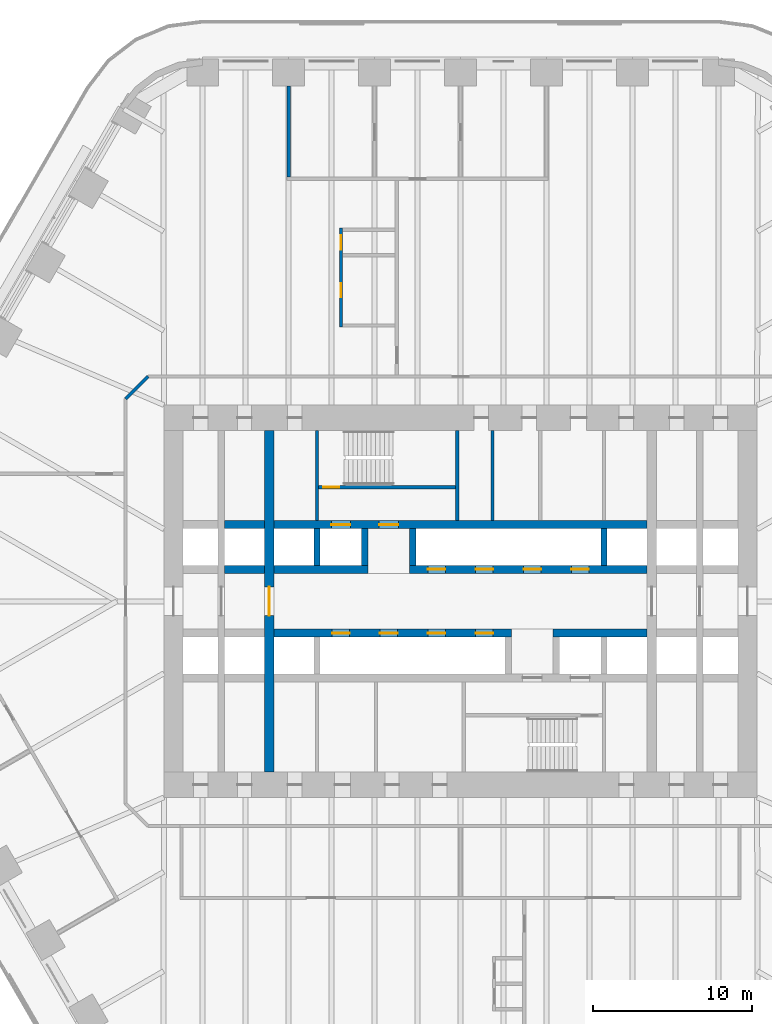
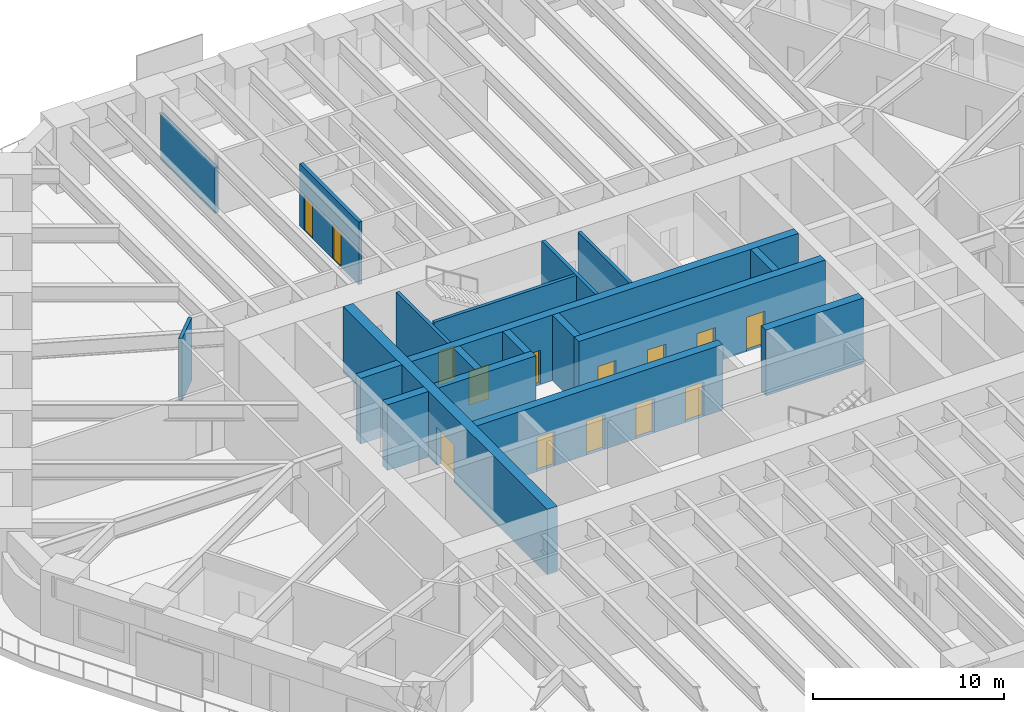
# One storey, part 18 of 24: 19 walls, 14 doors, 14 openings.
"""IFC4 building model written with IfcOpenShell, lengths in metres."""

from ifc_helpers import new_model, si_unit, direction, frame, frame_2d, origin, place, context, subcontext, project, spatial, rectangle, extrude, material, layer, layer_set, type_object, element, fill, save


model = new_model("IFC4")

# Units and contexts
model_context = context("Model", 3, precision=1e-05, world=origin(), true_north=direction((0.0, 1.0)))
body_context = subcontext(model_context, "Body", "Model", "MODEL_VIEW")
ifc_project = project(units=[si_unit("LENGTHUNIT", "METRE"), si_unit("AREAUNIT", "SQUARE_METRE"), si_unit("VOLUMEUNIT", "CUBIC_METRE"), si_unit("PLANEANGLEUNIT", "RADIAN"), si_unit("MASSUNIT", "GRAM", prefix="KILO")], contexts=[model_context])

# Site, building, storey
site_placement = place(None, origin())
site = spatial("IfcSite", under=ifc_project, at=site_placement, CompositionType="ELEMENT")
building_placement = place(site_placement, origin())
building = spatial("IfcBuilding", under=site, at=building_placement, Name="Tarfa Lantern Tower", CompositionType="ELEMENT")
storey_placement = place(building_placement, frame((0.0, 0.0, 69.699951171875)))
storey = spatial("IfcBuildingStorey", under=building, at=storey_placement, Name="L15", CompositionType="ELEMENT", Elevation=69.699951171875)

# Walls
ifc_material_1 = material(Name="Concrete blockwork", Category="masonry")
ifc_layer_1 = layer(ifc_material_1, 0.199951171875)
ifc_layer_set_1 = layer_set([ifc_layer_1], Name="IW1 BLOCKWORK PARTITION 200 EI 120")
wall_type_1 = type_object("IfcWallType", Name="IW1 BLOCKWORK PARTITION 200 EI 120", PredefinedType="PARTITIONING", material=ifc_layer_set_1)
for number, where, z_axis, x_axis, name in (
    (1, (-9.0, 5.050048828125, 0.0), (0.0, 0.0, 1.0), (0.0, 1.0, 0.0), "Core partition"),
    (2, (2.0, 5.050048828125, 0.0), (0.0, 0.0, 1.0), (0.0, 1.0, 0.0), "Core partition"),
):
    element("IfcWall", number, at=place(storey_placement, frame(where, z_axis=z_axis, x_axis=x_axis)), inside=storey, type_object=wall_type_1, Name=name, PredefinedType="PARTITIONING", context=body_context, shape_type="SweptSolid", body=[
        extrude(rectangle(XDim=5.64990234375, YDim=0.199951171875, at=frame_2d((2.824951171875, 0.0))), origin(), (0.0, 0.0, 1.0), 4.0),
    ])
ifc_material_2 = material(Name="Gypsum board on steel studs", Category="steel")
ifc_layer_2 = layer(ifc_material_2, 0.2099609375)
ifc_layer_set_2 = layer_set([ifc_layer_2], Name="IW2 ACOUSTIC PARTITION 200")
wall_type_2 = type_object("IfcWallType", Name="IW2 ACOUSTIC PARTITION 200", PredefinedType="PARTITIONING", material=ifc_layer_set_2)
wall_1_placement = place(storey_placement, frame((-10.777099609375, 26.60009765625, 0.0), z_axis=(0.0, 0.0, 1.0), x_axis=(0.0, 1.0, 0.0)))
element("IfcWall", 3, at=wall_1_placement, inside=storey, type_object=wall_type_2, Name="Partition", PredefinedType="PARTITIONING", context=body_context, shape_type="SweptSolid", body=[
    extrude(rectangle(XDim=5.699951171875, YDim=0.199951171875, at=frame_2d((2.85009765625, 0.0))), origin(), (0.0, 0.0, 1.0), 2.944091796875),
])
wall_2_placement = place(storey_placement, frame((-21.0, 12.699951171875, 0.0), z_axis=(0.0, 0.0, 1.0), x_axis=(0.707045124756, 0.707168432242, 0.0)))
element("IfcWall", 4, at=wall_2_placement, inside=storey, type_object=wall_type_2, Name="Partition", PredefinedType="PARTITIONING", context=body_context, shape_type="SweptSolid", body=[
    extrude(rectangle(XDim=1.97998046875, YDim=0.199951171875, at=frame_2d((0.989990234375, 0.0))), origin(), (0.0, 0.0, 1.0), 4.0),
])

# Wall, openings, doors
wall_3_placement = place(storey_placement, frame((-7.5, 17.199951171875, 0.0), z_axis=(0.0, 0.0, 1.0), x_axis=(0.0, 1.0, 0.0)))
wall_3 = element("IfcWall", 5, at=wall_3_placement, inside=storey, type_object=wall_type_2, Name="Partition", PredefinedType="PARTITIONING", context=body_context, shape_type="SweptSolid", body=[
    extrude(rectangle(XDim=6.199951171875, YDim=0.199951171875, at=frame_2d((3.10009765625, 0.0))), origin(), (0.0, 0.0, 1.0), 4.0),
])
opening_1_placement = place(wall_3_placement, frame((1.85009765625, 0.0, 0.0)))
opening_1 = element("IfcOpeningElement", 6, at=opening_1_placement, cuts=wall_3, Name="Opening D43", PredefinedType="OPENING", context=body_context, shape_type="SweptSolid", body=[
    extrude(rectangle(XDim=0.89990234375, YDim=2.199951171875, at=frame_2d((0.449951171875, 1.10009765625))), frame((0.0, 0.10986328125, 0.0), z_axis=(0.0, -1.0, 0.0), x_axis=(1.0, 0.0, 0.0)), (0.0, 0.0, 1.0), 0.219970703125),
])
opening_2_placement = place(wall_3_placement, frame((4.85009765625, 0.0, 0.0)))
opening_2 = element("IfcOpeningElement", 7, at=opening_2_placement, cuts=wall_3, Name="Opening D44", PredefinedType="OPENING", context=body_context, shape_type="SweptSolid", body=[
    extrude(rectangle(XDim=0.89990234375, YDim=2.199951171875, at=frame_2d((0.449951171875, 1.10009765625))), frame((0.0, 0.10986328125, 0.0), z_axis=(0.0, -1.0, 0.0), x_axis=(1.0, 0.0, 0.0)), (0.0, 0.0, 1.0), 0.219970703125),
])
ifc_material_3 = material(Name="Timber door", Category="wood")
door_type_1 = type_object("IfcDoorType", Name="DR3 ROOM DOOR 900x2200", OperationType="SINGLE_SWING_LEFT", PredefinedType="DOOR", material=ifc_material_3)
door_1_placement = place(opening_1_placement, frame((0.89990234375, 0.0, 0.0), z_axis=(0.0, 0.0, 1.0), x_axis=(-1.0, 0.0, 0.0)))
door_1 = element("IfcDoor", 8, at=door_1_placement, inside=storey, type_object=door_type_1, Name="Meeting room door", OperationType="SINGLE_SWING_LEFT", OverallHeight=2.199951171875, OverallWidth=0.89990234375, PredefinedType="DOOR", context=body_context, shape_type="SweptSolid", body=[
    extrude(rectangle(XDim=0.89990234375, YDim=2.199951171875, at=frame_2d((0.449951171875, 1.10009765625))), frame((0.0, 0.02490234375, 0.0), z_axis=(0.0, -1.0, 0.0), x_axis=(1.0, 0.0, 0.0)), (0.0, 0.0, 1.0), 0.050048828125),
])
fill(opening_1, door_1)
door_2_placement = place(opening_2_placement, frame((0.89990234375, 0.0, 0.0), z_axis=(0.0, 0.0, 1.0), x_axis=(-1.0, 0.0, 0.0)))
door_2 = element("IfcDoor", 9, at=door_2_placement, inside=storey, type_object=door_type_1, Name="Phone booth door", OperationType="SINGLE_SWING_RIGHT", OverallHeight=2.199951171875, OverallWidth=0.89990234375, PredefinedType="DOOR", context=body_context, shape_type="SweptSolid", body=[
    extrude(rectangle(XDim=0.89990234375, YDim=2.199951171875, at=frame_2d((0.449951171875, 1.10009765625))), frame((0.0, 0.02490234375, 0.0), z_axis=(0.0, -1.0, 0.0), x_axis=(1.0, 0.0, 0.0)), (0.0, 0.0, 1.0), 0.050048828125),
])
fill(opening_2, door_2)

# Wall
ifc_material_4 = material(Name="Concrete C80/95", Category="concrete")
ifc_layer_3 = layer(ifc_material_4, 0.199951171875)
ifc_layer_set_3 = layer_set([ifc_layer_3], Name="SW12 CORE WALL 200")
wall_type_3 = type_object("IfcWallType", Name="SW12 CORE WALL 200", PredefinedType="SHEAR", material=ifc_layer_set_3)
wall_4_placement = place(storey_placement, frame((-0.199951171875, 5.050048828125, 0.0), z_axis=(0.0, 0.0, 1.0), x_axis=(0.0, 1.0, 0.0)))
element("IfcWall", 10, at=wall_4_placement, inside=storey, type_object=wall_type_3, Name="Core wall stair shaft N", PredefinedType="SHEAR", context=body_context, shape_type="SweptSolid", body=[
    extrude(rectangle(XDim=5.64990234375, YDim=0.199951171875, at=frame_2d((2.824951171875, 0.0))), origin(), (0.0, 0.0, 1.0), 4.199951171875),
])

# Wall, opening, door
wall_5_placement = place(storey_placement, frame((-8.89990234375, 7.14990234375, 0.0), z_axis=(0.0, 0.0, 1.0), x_axis=(1.0, 0.0, 0.0)))
wall_5 = element("IfcWall", 11, at=wall_5_placement, inside=storey, type_object=wall_type_3, Name="Core wall stair partition N", PredefinedType="SHEAR", context=body_context, shape_type="SweptSolid", body=[
    extrude(rectangle(XDim=8.599853515625, YDim=0.199951171875, at=frame_2d((4.2998046875, 0.0))), origin(), (0.0, 0.0, 1.0), 4.199951171875),
])
opening_3_placement = place(wall_5_placement, frame((0.300048828125, 0.0, 0.0)))
opening_3 = element("IfcOpeningElement", 12, at=opening_3_placement, cuts=wall_5, Name="Opening D23", PredefinedType="OPENING", context=body_context, shape_type="SweptSolid", body=[
    extrude(rectangle(XDim=1.0, YDim=2.199951171875, at=frame_2d((0.5, 1.10009765625))), frame((0.0, 0.10986328125, 0.0), z_axis=(0.0, -1.0, 0.0), x_axis=(1.0, 0.0, 0.0)), (0.0, 0.0, 1.0), 0.219970703125),
])
ifc_material_5 = material(Name="Steel fire door", Category="steel")
door_type_2 = type_object("IfcDoorType", Name="DF2 STAIR DOOR 1000x2200", OperationType="SINGLE_SWING_LEFT", PredefinedType="DOOR", material=ifc_material_5)
door_3_placement = place(opening_3_placement, origin())
door_3 = element("IfcDoor", 13, at=door_3_placement, inside=storey, type_object=door_type_2, Name="Stair door", OperationType="SINGLE_SWING_RIGHT", OverallHeight=2.199951171875, OverallWidth=1.0, PredefinedType="DOOR", context=body_context, shape_type="SweptSolid", body=[
    extrude(rectangle(XDim=1.0, YDim=2.199951171875, at=frame_2d((0.5, 1.10009765625))), frame((0.0, 0.02490234375, 0.0), z_axis=(0.0, -1.0, 0.0), x_axis=(1.0, 0.0, 0.0)), (0.0, 0.0, 1.0), 0.050048828125),
])
fill(opening_3, door_3)

# Walls
ifc_layer_4 = layer(ifc_material_4, 0.5)
ifc_layer_set_4 = layer_set([ifc_layer_4], Name="SW5 CORE WALL 500")
wall_type_4 = type_object("IfcWallType", Name="SW5 CORE WALL 500", PredefinedType="SHEAR", material=ifc_layer_set_4)
wall_6_placement = place(storey_placement, frame((-14.800048828125, 2.0, 0.0), z_axis=(0.0, 0.0, 1.0), x_axis=(1.0, 0.0, 0.0)))
element("IfcWall", 14, at=wall_6_placement, inside=storey, type_object=wall_type_4, Name="Core wall lobby west N", PredefinedType="SHEAR", context=body_context, shape_type="SweptSolid", body=[
    extrude(rectangle(XDim=2.5, YDim=0.5, at=frame_2d((1.25, 0.0))), origin(), (0.0, 0.0, 1.0), 4.199951171875),
])
wall_7_placement = place(storey_placement, frame((-11.699951171875, 2.0, 0.0), z_axis=(0.0, 0.0, 1.0), x_axis=(1.0, 0.0, 0.0)))
element("IfcWall", 15, at=wall_7_placement, inside=storey, type_object=wall_type_4, Name="Core wall lobby west N", PredefinedType="SHEAR", context=body_context, shape_type="SweptSolid", body=[
    extrude(rectangle(XDim=5.89990234375, YDim=0.5, at=frame_2d((2.949951171875, 0.0))), origin(), (0.0, 0.0, 1.0), 4.199951171875),
])

# Wall, openings, doors
wall_8_placement = place(storey_placement, frame((-3.199951171875, 2.0, 0.0), z_axis=(0.0, 0.0, 1.0), x_axis=(1.0, 0.0, 0.0)))
wall_8 = element("IfcWall", 16, at=wall_8_placement, inside=storey, type_object=wall_type_4, Name="Core wall lobby east N", PredefinedType="SHEAR", context=body_context, shape_type="SweptSolid", body=[
    extrude(rectangle(XDim=14.89990234375, YDim=0.5, at=frame_2d((7.449951171875, 0.0))), origin(), (0.0, 0.0, 1.0), 4.199951171875),
])
opening_4_placement = place(wall_8_placement, frame((1.14990234375, 0.0, 0.0)))
opening_4 = element("IfcOpeningElement", 17, at=opening_4_placement, cuts=wall_8, Name="Opening LD03", PredefinedType="OPENING", context=body_context, shape_type="SweptSolid", body=[
    extrude(rectangle(XDim=1.10009765625, YDim=2.199951171875, at=frame_2d((0.550048828125, 1.10009765625))), frame((0.0, 0.260009765625, 0.0), z_axis=(0.0, -1.0, 0.0), x_axis=(1.0, 0.0, 0.0)), (0.0, 0.0, 1.0), 0.52001953125),
])
opening_5_placement = place(wall_8_placement, frame((4.14990234375, 0.0, 0.0)))
opening_5 = element("IfcOpeningElement", 18, at=opening_5_placement, cuts=wall_8, Name="Opening LD04", PredefinedType="OPENING", context=body_context, shape_type="SweptSolid", body=[
    extrude(rectangle(XDim=1.10009765625, YDim=2.199951171875, at=frame_2d((0.550048828125, 1.10009765625))), frame((0.0, 0.260009765625, 0.0), z_axis=(0.0, -1.0, 0.0), x_axis=(1.0, 0.0, 0.0)), (0.0, 0.0, 1.0), 0.52001953125),
])
opening_6_placement = place(wall_8_placement, frame((7.14990234375, 0.0, 0.0)))
opening_6 = element("IfcOpeningElement", 19, at=opening_6_placement, cuts=wall_8, Name="Opening LD05", PredefinedType="OPENING", context=body_context, shape_type="SweptSolid", body=[
    extrude(rectangle(XDim=1.10009765625, YDim=2.199951171875, at=frame_2d((0.550048828125, 1.10009765625))), frame((0.0, 0.260009765625, 0.0), z_axis=(0.0, -1.0, 0.0), x_axis=(1.0, 0.0, 0.0)), (0.0, 0.0, 1.0), 0.52001953125),
])
opening_7_placement = place(wall_8_placement, frame((10.14990234375, 0.0, 0.0)))
opening_7 = element("IfcOpeningElement", 20, at=opening_7_placement, cuts=wall_8, Name="Opening LD06", PredefinedType="OPENING", context=body_context, shape_type="SweptSolid", body=[
    extrude(rectangle(XDim=1.10009765625, YDim=2.199951171875, at=frame_2d((0.550048828125, 1.10009765625))), frame((0.0, 0.260009765625, 0.0), z_axis=(0.0, -1.0, 0.0), x_axis=(1.0, 0.0, 0.0)), (0.0, 0.0, 1.0), 0.52001953125),
])
ifc_material_6 = material(Name="Stainless steel lift door", Category="steel")
door_type_3 = type_object("IfcDoorType", Name="LD2 LIFT LANDING DOOR 1100x2200", OperationType="SLIDING_TO_LEFT", PredefinedType="DOOR", material=ifc_material_6)
door_4_placement = place(opening_4_placement, frame((1.10009765625, 0.0, 0.0), z_axis=(0.0, 0.0, 1.0), x_axis=(-1.0, 0.0, 0.0)))
door_4 = element("IfcDoor", 21, at=door_4_placement, inside=storey, type_object=door_type_3, Name="Landing door PA1", OperationType="SLIDING_TO_LEFT", OverallHeight=2.199951171875, OverallWidth=1.10009765625, PredefinedType="DOOR", context=body_context, shape_type="SweptSolid", body=[
    extrude(rectangle(XDim=1.10009765625, YDim=2.199951171875, at=frame_2d((0.550048828125, 1.10009765625))), frame((0.0, 0.02490234375, 0.0), z_axis=(0.0, -1.0, 0.0), x_axis=(1.0, 0.0, 0.0)), (0.0, 0.0, 1.0), 0.050048828125),
])
fill(opening_4, door_4)
door_5_placement = place(opening_5_placement, frame((1.10009765625, 0.0, 0.0), z_axis=(0.0, 0.0, 1.0), x_axis=(-1.0, 0.0, 0.0)))
door_5 = element("IfcDoor", 22, at=door_5_placement, inside=storey, type_object=door_type_3, Name="Landing door PA2", OperationType="SLIDING_TO_LEFT", OverallHeight=2.199951171875, OverallWidth=1.10009765625, PredefinedType="DOOR", context=body_context, shape_type="SweptSolid", body=[
    extrude(rectangle(XDim=1.10009765625, YDim=2.199951171875, at=frame_2d((0.550048828125, 1.10009765625))), frame((0.0, 0.02490234375, 0.0), z_axis=(0.0, -1.0, 0.0), x_axis=(1.0, 0.0, 0.0)), (0.0, 0.0, 1.0), 0.050048828125),
])
fill(opening_5, door_5)
door_6_placement = place(opening_6_placement, frame((1.10009765625, 0.0, 0.0), z_axis=(0.0, 0.0, 1.0), x_axis=(-1.0, 0.0, 0.0)))
door_6 = element("IfcDoor", 23, at=door_6_placement, inside=storey, type_object=door_type_3, Name="Landing door PA3", OperationType="SLIDING_TO_LEFT", OverallHeight=2.199951171875, OverallWidth=1.10009765625, PredefinedType="DOOR", context=body_context, shape_type="SweptSolid", body=[
    extrude(rectangle(XDim=1.10009765625, YDim=2.199951171875, at=frame_2d((0.550048828125, 1.10009765625))), frame((0.0, 0.02490234375, 0.0), z_axis=(0.0, -1.0, 0.0), x_axis=(1.0, 0.0, 0.0)), (0.0, 0.0, 1.0), 0.050048828125),
])
fill(opening_6, door_6)
door_7_placement = place(opening_7_placement, frame((1.10009765625, 0.0, 0.0), z_axis=(0.0, 0.0, 1.0), x_axis=(-1.0, 0.0, 0.0)))
door_7 = element("IfcDoor", 24, at=door_7_placement, inside=storey, type_object=door_type_3, Name="Landing door PA4", OperationType="SLIDING_TO_LEFT", OverallHeight=2.199951171875, OverallWidth=1.10009765625, PredefinedType="DOOR", context=body_context, shape_type="SweptSolid", body=[
    extrude(rectangle(XDim=1.10009765625, YDim=2.199951171875, at=frame_2d((0.550048828125, 1.10009765625))), frame((0.0, 0.02490234375, 0.0), z_axis=(0.0, -1.0, 0.0), x_axis=(1.0, 0.0, 0.0)), (0.0, 0.0, 1.0), 0.050048828125),
])
fill(opening_7, door_7)

# Wall
wall_9_placement = place(storey_placement, frame((-14.800048828125, 4.800048828125, 0.0), z_axis=(0.0, 0.0, 1.0), x_axis=(1.0, 0.0, 0.0)))
element("IfcWall", 25, at=wall_9_placement, inside=storey, type_object=wall_type_4, Name="Core wall rear N", PredefinedType="SHEAR", context=body_context, shape_type="SweptSolid", body=[
    extrude(rectangle(XDim=2.5, YDim=0.5, at=frame_2d((1.25, 0.0))), origin(), (0.0, 0.0, 1.0), 4.199951171875),
])

# Wall, openings, doors
wall_10_placement = place(storey_placement, frame((-11.699951171875, 4.800048828125, 0.0), z_axis=(0.0, 0.0, 1.0), x_axis=(1.0, 0.0, 0.0)))
wall_10 = element("IfcWall", 26, at=wall_10_placement, inside=storey, type_object=wall_type_4, Name="Core wall rear N", PredefinedType="SHEAR", context=body_context, shape_type="SweptSolid", body=[
    extrude(rectangle(XDim=23.39990234375, YDim=0.5, at=frame_2d((11.699951171875, 0.0))), origin(), (0.0, 0.0, 1.0), 4.199951171875),
])
opening_8_placement = place(wall_10_placement, frame((6.60009765625, 0.0, 0.0)))
opening_8 = element("IfcOpeningElement", 27, at=opening_8_placement, cuts=wall_10, Name="Opening D13", PredefinedType="OPENING", context=body_context, shape_type="SweptSolid", body=[
    extrude(rectangle(XDim=1.199951171875, YDim=2.199951171875, at=frame_2d((0.60009765625, 1.10009765625))), frame((0.0, 0.260009765625, 0.0), z_axis=(0.0, -1.0, 0.0), x_axis=(1.0, 0.0, 0.0)), (0.0, 0.0, 1.0), 0.52001953125),
])
opening_9_placement = place(wall_10_placement, frame((3.60009765625, 0.0, 0.0)))
opening_9 = element("IfcOpeningElement", 28, at=opening_9_placement, cuts=wall_10, Name="Opening LD01", PredefinedType="OPENING", context=body_context, shape_type="SweptSolid", body=[
    extrude(rectangle(XDim=1.199951171875, YDim=2.199951171875, at=frame_2d((0.60009765625, 1.10009765625))), frame((0.0, 0.260009765625, 0.0), z_axis=(0.0, -1.0, 0.0), x_axis=(1.0, 0.0, 0.0)), (0.0, 0.0, 1.0), 0.52001953125),
])
door_type_4 = type_object("IfcDoorType", Name="DF1 FIREFIGHTING LOBBY DOOR 1200x2200", OperationType="SINGLE_SWING_LEFT", PredefinedType="DOOR", material=ifc_material_5)
door_8_placement = place(opening_8_placement, origin())
door_8 = element("IfcDoor", 29, at=door_8_placement, inside=storey, type_object=door_type_4, Name="Firefighting lobby door", OperationType="SINGLE_SWING_LEFT", OverallHeight=2.199951171875, OverallWidth=1.199951171875, PredefinedType="DOOR", context=body_context, shape_type="SweptSolid", body=[
    extrude(rectangle(XDim=1.199951171875, YDim=2.199951171875, at=frame_2d((0.60009765625, 1.10009765625))), frame((0.0, 0.02490234375, 0.0), z_axis=(0.0, -1.0, 0.0), x_axis=(1.0, 0.0, 0.0)), (0.0, 0.0, 1.0), 0.050048828125),
])
fill(opening_8, door_8)
door_type_5 = type_object("IfcDoorType", Name="LD1 LIFT LANDING DOOR 1200x2200", OperationType="SLIDING_TO_LEFT", PredefinedType="DOOR", material=ifc_material_6)
door_9_placement = place(opening_9_placement, origin())
door_9 = element("IfcDoor", 30, at=door_9_placement, inside=storey, type_object=door_type_5, Name="Landing door FL1", OperationType="SLIDING_TO_LEFT", OverallHeight=2.199951171875, OverallWidth=1.199951171875, PredefinedType="DOOR", context=body_context, shape_type="SweptSolid", body=[
    extrude(rectangle(XDim=1.199951171875, YDim=2.199951171875, at=frame_2d((0.60009765625, 1.10009765625))), frame((0.0, 0.02490234375, 0.0), z_axis=(0.0, -1.0, 0.0), x_axis=(1.0, 0.0, 0.0)), (0.0, 0.0, 1.0), 0.050048828125),
])
fill(opening_9, door_9)

# Wall
wall_11_placement = place(storey_placement, frame((11.699951171875, -2.0, 0.0), z_axis=(0.0, 0.0, 1.0), x_axis=(-1.0, 0.0, 0.0)))
element("IfcWall", 31, at=wall_11_placement, inside=storey, type_object=wall_type_4, Name="Core wall lobby west S", PredefinedType="SHEAR", context=body_context, shape_type="SweptSolid", body=[
    extrude(rectangle(XDim=5.89990234375, YDim=0.5, at=frame_2d((2.949951171875, 0.0))), origin(), (0.0, 0.0, 1.0), 4.199951171875),
])

# Wall, openings, doors
wall_12_placement = place(storey_placement, frame((3.199951171875, -2.0, 0.0), z_axis=(0.0, 0.0, 1.0), x_axis=(-1.0, 0.0, 0.0)))
wall_12 = element("IfcWall", 32, at=wall_12_placement, inside=storey, type_object=wall_type_4, Name="Core wall lobby east S", PredefinedType="SHEAR", context=body_context, shape_type="SweptSolid", body=[
    extrude(rectangle(XDim=14.89990234375, YDim=0.5, at=frame_2d((7.449951171875, 0.0))), origin(), (0.0, 0.0, 1.0), 4.199951171875),
])
opening_10_placement = place(wall_12_placement, frame((1.14990234375, 0.0, 0.0)))
opening_10 = element("IfcOpeningElement", 33, at=opening_10_placement, cuts=wall_12, Name="Opening LD07", PredefinedType="OPENING", context=body_context, shape_type="SweptSolid", body=[
    extrude(rectangle(XDim=1.10009765625, YDim=2.199951171875, at=frame_2d((0.550048828125, 1.10009765625))), frame((0.0, 0.260009765625, 0.0), z_axis=(0.0, -1.0, 0.0), x_axis=(1.0, 0.0, 0.0)), (0.0, 0.0, 1.0), 0.52001953125),
])
opening_11_placement = place(wall_12_placement, frame((4.14990234375, 0.0, 0.0)))
opening_11 = element("IfcOpeningElement", 34, at=opening_11_placement, cuts=wall_12, Name="Opening LD08", PredefinedType="OPENING", context=body_context, shape_type="SweptSolid", body=[
    extrude(rectangle(XDim=1.10009765625, YDim=2.199951171875, at=frame_2d((0.550048828125, 1.10009765625))), frame((0.0, 0.260009765625, 0.0), z_axis=(0.0, -1.0, 0.0), x_axis=(1.0, 0.0, 0.0)), (0.0, 0.0, 1.0), 0.52001953125),
])
opening_12_placement = place(wall_12_placement, frame((7.14990234375, 0.0, 0.0)))
opening_12 = element("IfcOpeningElement", 35, at=opening_12_placement, cuts=wall_12, Name="Opening LD09", PredefinedType="OPENING", context=body_context, shape_type="SweptSolid", body=[
    extrude(rectangle(XDim=1.10009765625, YDim=2.199951171875, at=frame_2d((0.550048828125, 1.10009765625))), frame((0.0, 0.260009765625, 0.0), z_axis=(0.0, -1.0, 0.0), x_axis=(1.0, 0.0, 0.0)), (0.0, 0.0, 1.0), 0.52001953125),
])
opening_13_placement = place(wall_12_placement, frame((10.14990234375, 0.0, 0.0)))
opening_13 = element("IfcOpeningElement", 36, at=opening_13_placement, cuts=wall_12, Name="Opening LD10", PredefinedType="OPENING", context=body_context, shape_type="SweptSolid", body=[
    extrude(rectangle(XDim=1.10009765625, YDim=2.199951171875, at=frame_2d((0.550048828125, 1.10009765625))), frame((0.0, 0.260009765625, 0.0), z_axis=(0.0, -1.0, 0.0), x_axis=(1.0, 0.0, 0.0)), (0.0, 0.0, 1.0), 0.52001953125),
])
door_10_placement = place(opening_10_placement, frame((1.10009765625, 0.0, 0.0), z_axis=(0.0, 0.0, 1.0), x_axis=(-1.0, 0.0, 0.0)))
door_10 = element("IfcDoor", 37, at=door_10_placement, inside=storey, type_object=door_type_3, Name="Landing door PA5", OperationType="SLIDING_TO_LEFT", OverallHeight=2.199951171875, OverallWidth=1.10009765625, PredefinedType="DOOR", context=body_context, shape_type="SweptSolid", body=[
    extrude(rectangle(XDim=1.10009765625, YDim=2.199951171875, at=frame_2d((0.550048828125, 1.10009765625))), frame((0.0, 0.02490234375, 0.0), z_axis=(0.0, -1.0, 0.0), x_axis=(1.0, 0.0, 0.0)), (0.0, 0.0, 1.0), 0.050048828125),
])
fill(opening_10, door_10)
door_11_placement = place(opening_11_placement, frame((1.10009765625, 0.0, 0.0), z_axis=(0.0, 0.0, 1.0), x_axis=(-1.0, 0.0, 0.0)))
door_11 = element("IfcDoor", 38, at=door_11_placement, inside=storey, type_object=door_type_3, Name="Landing door PA6", OperationType="SLIDING_TO_LEFT", OverallHeight=2.199951171875, OverallWidth=1.10009765625, PredefinedType="DOOR", context=body_context, shape_type="SweptSolid", body=[
    extrude(rectangle(XDim=1.10009765625, YDim=2.199951171875, at=frame_2d((0.550048828125, 1.10009765625))), frame((0.0, 0.02490234375, 0.0), z_axis=(0.0, -1.0, 0.0), x_axis=(1.0, 0.0, 0.0)), (0.0, 0.0, 1.0), 0.050048828125),
])
fill(opening_11, door_11)
door_12_placement = place(opening_12_placement, frame((1.10009765625, 0.0, 0.0), z_axis=(0.0, 0.0, 1.0), x_axis=(-1.0, 0.0, 0.0)))
door_12 = element("IfcDoor", 39, at=door_12_placement, inside=storey, type_object=door_type_3, Name="Landing door PA7", OperationType="SLIDING_TO_LEFT", OverallHeight=2.199951171875, OverallWidth=1.10009765625, PredefinedType="DOOR", context=body_context, shape_type="SweptSolid", body=[
    extrude(rectangle(XDim=1.10009765625, YDim=2.199951171875, at=frame_2d((0.550048828125, 1.10009765625))), frame((0.0, 0.02490234375, 0.0), z_axis=(0.0, -1.0, 0.0), x_axis=(1.0, 0.0, 0.0)), (0.0, 0.0, 1.0), 0.050048828125),
])
fill(opening_12, door_12)
door_13_placement = place(opening_13_placement, frame((1.10009765625, 0.0, 0.0), z_axis=(0.0, 0.0, 1.0), x_axis=(-1.0, 0.0, 0.0)))
door_13 = element("IfcDoor", 40, at=door_13_placement, inside=storey, type_object=door_type_3, Name="Landing door PA8", OperationType="SLIDING_TO_LEFT", OverallHeight=2.199951171875, OverallWidth=1.10009765625, PredefinedType="DOOR", context=body_context, shape_type="SweptSolid", body=[
    extrude(rectangle(XDim=1.10009765625, YDim=2.199951171875, at=frame_2d((0.550048828125, 1.10009765625))), frame((0.0, 0.02490234375, 0.0), z_axis=(0.0, -1.0, 0.0), x_axis=(1.0, 0.0, 0.0)), (0.0, 0.0, 1.0), 0.050048828125),
])
fill(opening_13, door_13)

# Walls
ifc_layer_5 = layer(ifc_material_4, 0.39990234375)
ifc_layer_set_5 = layer_set([ifc_layer_5], Name="SW6 CORE WALL 400")
wall_type_5 = type_object("IfcWallType", Name="SW6 CORE WALL 400", PredefinedType="SHEAR", material=ifc_layer_set_5)
for number, where, z_axis, x_axis, name in (
    (41, (-9.0, 2.25, 0.0), (0.0, 0.0, 1.0), (0.0, 1.0, 0.0), "Core wall divider N"),
    (42, (-6.0, 2.25, 0.0), (0.0, 0.0, 1.0), (0.0, 1.0, 0.0), "Core wall divider N"),
    (43, (-3.0, 2.25, 0.0), (0.0, 0.0, 1.0), (0.0, 1.0, 0.0), "Core wall divider N"),
    (44, (9.0, 2.25, 0.0), (0.0, 0.0, 1.0), (0.0, 1.0, 0.0), "Core wall divider N"),
):
    element("IfcWall", number, at=place(storey_placement, frame(where, z_axis=z_axis, x_axis=x_axis)), inside=storey, type_object=wall_type_5, Name=name, PredefinedType="SHEAR", context=body_context, shape_type="SweptSolid", body=[
        extrude(rectangle(XDim=2.300048828125, YDim=0.39990234375, at=frame_2d((1.14990234375, 0.0))), origin(), (0.0, 0.0, 1.0), 4.199951171875),
    ])

# Wall, opening, door
ifc_layer_6 = layer(ifc_material_4, 0.60009765625)
ifc_layer_set_6 = layer_set([ifc_layer_6], Name="SW9 CORE WALL 600")
wall_type_6 = type_object("IfcWallType", Name="SW9 CORE WALL 600", PredefinedType="SHEAR", material=ifc_layer_set_6)
wall_13_placement = place(storey_placement, frame((-12.0, -10.699951171875, 0.0), z_axis=(0.0, 0.0, 1.0), x_axis=(0.0, 1.0, 0.0)))
wall_13 = element("IfcWall", 45, at=wall_13_placement, inside=storey, type_object=wall_type_6, Name="Core wall cross 12 m west", PredefinedType="SHEAR", context=body_context, shape_type="SweptSolid", body=[
    extrude(rectangle(XDim=21.39990234375, YDim=0.60009765625, at=frame_2d((10.699951171875, 0.0))), origin(), (0.0, 0.0, 1.0), 4.199951171875),
])
opening_14_placement = place(wall_13_placement, frame((9.800048828125, 0.0, 0.0)))
opening_14 = element("IfcOpeningElement", 46, at=opening_14_placement, cuts=wall_13, Name="Opening D27", PredefinedType="OPENING", context=body_context, shape_type="SweptSolid", body=[
    extrude(rectangle(XDim=1.800048828125, YDim=2.39990234375, at=frame_2d((0.89990234375, 1.199951171875))), frame((0.0, 0.31005859375, 0.0), z_axis=(0.0, -1.0, 0.0), x_axis=(1.0, 0.0, 0.0)), (0.0, 0.0, 1.0), 0.6201171875),
])
door_type_6 = type_object("IfcDoorType", Name="DL1 LOBBY DOOR 1800x2400", OperationType="DOUBLE_DOOR_SINGLE_SWING", PredefinedType="DOOR", material=ifc_material_5)
door_14_placement = place(opening_14_placement, origin())
door_14 = element("IfcDoor", 47, at=door_14_placement, inside=storey, type_object=door_type_6, Name="Lift lobby door", OperationType="DOUBLE_DOOR_SINGLE_SWING", OverallHeight=2.39990234375, OverallWidth=1.800048828125, PredefinedType="DOOR", context=body_context, shape_type="SweptSolid", body=[
    extrude(rectangle(XDim=1.800048828125, YDim=2.39990234375, at=frame_2d((0.89990234375, 1.199951171875))), frame((0.0, 0.02490234375, 0.0), z_axis=(0.0, -1.0, 0.0), x_axis=(1.0, 0.0, 0.0)), (0.0, 0.0, 1.0), 0.050048828125),
])
fill(opening_14, door_14)

save(model, "model.ifc")
